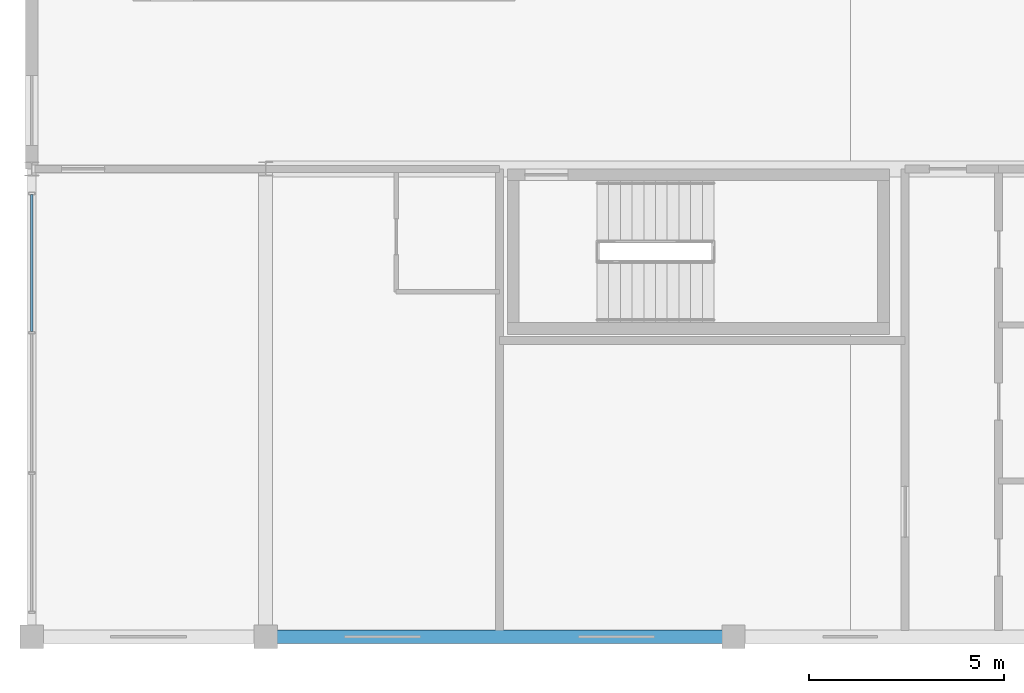
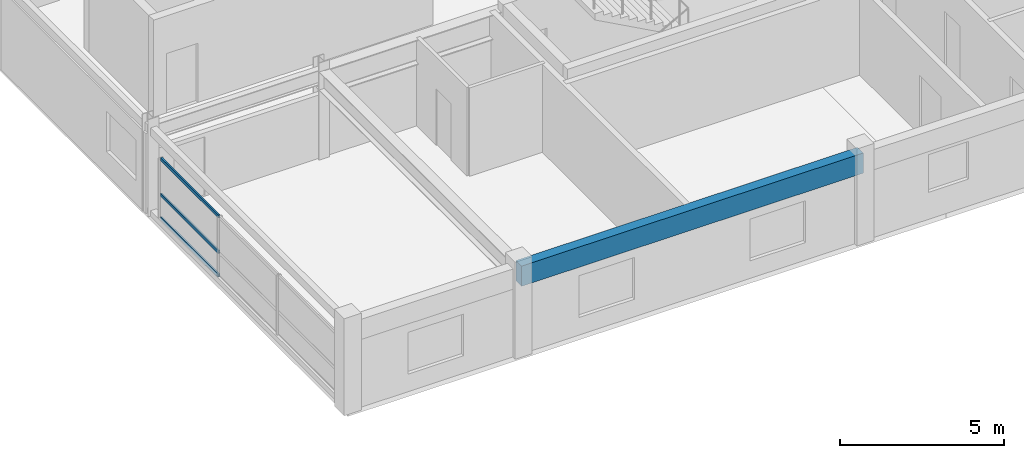
# One storey, part 3 of 22: 3 members, 1 beam, 1 element without a shape of its own.
"""IFC4 building model written with IfcOpenShell, lengths in metres."""

from ifc_helpers import new_model, si_unit, direction, frame, origin, origin_2d, place, context, subcontext, project, spatial, rectangle, hollow_rectangle, extrude, material, material_profile, profile_set, type_object, element, aggregate, save


model = new_model("IFC4")

# Units and contexts
model_context = context("Model", 3, precision=1e-05, world=origin(), true_north=direction((0.0, 1.0)))
body_context = subcontext(model_context, "Body", "Model", "MODEL_VIEW")
ifc_project = project(units=[si_unit("LENGTHUNIT", "METRE"), si_unit("AREAUNIT", "SQUARE_METRE"), si_unit("VOLUMEUNIT", "CUBIC_METRE"), si_unit("PLANEANGLEUNIT", "RADIAN"), si_unit("MASSUNIT", "GRAM", prefix="KILO")], contexts=[model_context])

# Site, building, storey
site_placement = place(None, origin())
site = spatial("IfcSite", under=ifc_project, at=site_placement, CompositionType="ELEMENT")
building_placement = place(site_placement, origin())
building = spatial("IfcBuilding", under=site, at=building_placement, Name="Kaldorvane Square Convention Centre", CompositionType="ELEMENT")
storey_placement = place(building_placement, frame((0.0, 0.0, 67.19999694824219)))
storey = spatial("IfcBuildingStorey", under=building, at=storey_placement, Name="L16", CompositionType="ELEMENT", Elevation=67.19999694824219)

# Beam
ifc_material_1 = material(Name="Concrete f'c = 42 MPa (Normalweight)", Category="concrete")
ifc_material_profile_1 = material_profile(ifc_material_1, rectangle(XDim=0.350006103515625, YDim=0.75, at=origin_2d()), Name="RCSP750X350")
ifc_profile_set_1 = profile_set([ifc_material_profile_1], Name="Concrete f'c = 42 MPa (Normalweight)")
beam_type = type_object("IfcBeamType", Name="BM-SP-RC750", PredefinedType="SPANDREL", material=ifc_profile_set_1)
beam_placement = place(storey_placement, frame((42.0, 84.0, 2.9010009765625), z_axis=(1.0, 0.0, 0.0), x_axis=(0.0, 1.0, 0.0)))
element("IfcBeam", 1, at=beam_placement, inside=storey, type_object=beam_type, Name="Perimeter Spandrel (L16)", PredefinedType="SPANDREL", context=body_context, shape_type="SweptSolid", body=[
    extrude(rectangle(XDim=0.350006103515625, YDim=0.75, at=origin_2d()), origin(), (0.0, 0.0, 1.0), 12.0),
])

# Curtain wall, members
ifc_material_2 = material(Name="Anodized Aluminum and Low-E Insulated Glazing", Category="aluminium")
curtain_wall_type = type_object("IfcCurtainWallType", Name="CW-UNI-HTL-B", PredefinedType="USERDEFINED", material=ifc_material_2)
curtain_wall_placement = place(storey_placement, origin())
curtain_wall = element("IfcCurtainWall", 2, at=curtain_wall_placement, inside=storey, type_object=curtain_wall_type, Name="Curtain Wall CW-11 (L16)", ObjectType="UNITISED GLAZING", PredefinedType="USERDEFINED")
ifc_material_profile_2 = material_profile(ifc_material_2, hollow_rectangle(XDim=0.05499267578125, YDim=0.1199951171875, WallThickness=0.0030059814453125, at=origin_2d()), Name="CWT-120X55")
ifc_profile_set_2 = profile_set([ifc_material_profile_2], Name="Anodized Aluminum and Low-E Insulated Glazing")
member_type = type_object("IfcMemberType", Name="CW-TRN-120", PredefinedType="USERDEFINED", material=ifc_profile_set_2)
member_1_placement = place(storey_placement, frame((36.0, 95.33999633789062, 0.1775054931640625), z_axis=(0.0, -1.0, 0.0), x_axis=(1.0, 0.0, 0.0)))
member_1 = element("IfcMember", 3, at=member_1_placement, type_object=member_type, Name="CW-11 transom 1.1", ObjectType="TRANSOM", PredefinedType="USERDEFINED", context=body_context, shape_type="SweptSolid", body=[
    extrude(hollow_rectangle(XDim=0.05499267578125, YDim=0.1199951171875, WallThickness=0.0030059814453125, at=origin_2d()), origin(), (0.0, 0.0, 1.0), 3.5099945068359375),
])
member_2_placement = place(storey_placement, frame((36.0, 95.33999633789062, 1.0500030517578125), z_axis=(0.0, -1.0, 0.0), x_axis=(1.0, 0.0, 0.0)))
member_2 = element("IfcMember", 4, at=member_2_placement, type_object=member_type, Name="CW-11 transom 1.2", ObjectType="TRANSOM", PredefinedType="USERDEFINED", context=body_context, shape_type="SweptSolid", body=[
    extrude(hollow_rectangle(XDim=0.05499267578125, YDim=0.1199951171875, WallThickness=0.0030059814453125, at=origin_2d()), origin(), (0.0, 0.0, 1.0), 3.5099945068359375),
])
member_3_placement = place(storey_placement, frame((36.0, 95.33999633789062, 2.37249755859375), z_axis=(0.0, -1.0, 0.0), x_axis=(1.0, 0.0, 0.0)))
member_3 = element("IfcMember", 5, at=member_3_placement, type_object=member_type, Name="CW-11 transom 1.3", ObjectType="TRANSOM", PredefinedType="USERDEFINED", context=body_context, shape_type="SweptSolid", body=[
    extrude(hollow_rectangle(XDim=0.05499267578125, YDim=0.1199951171875, WallThickness=0.0030059814453125, at=origin_2d()), origin(), (0.0, 0.0, 1.0), 3.5099945068359375),
])
aggregate(curtain_wall, [member_1, member_2, member_3])

save(model, "model.ifc")
